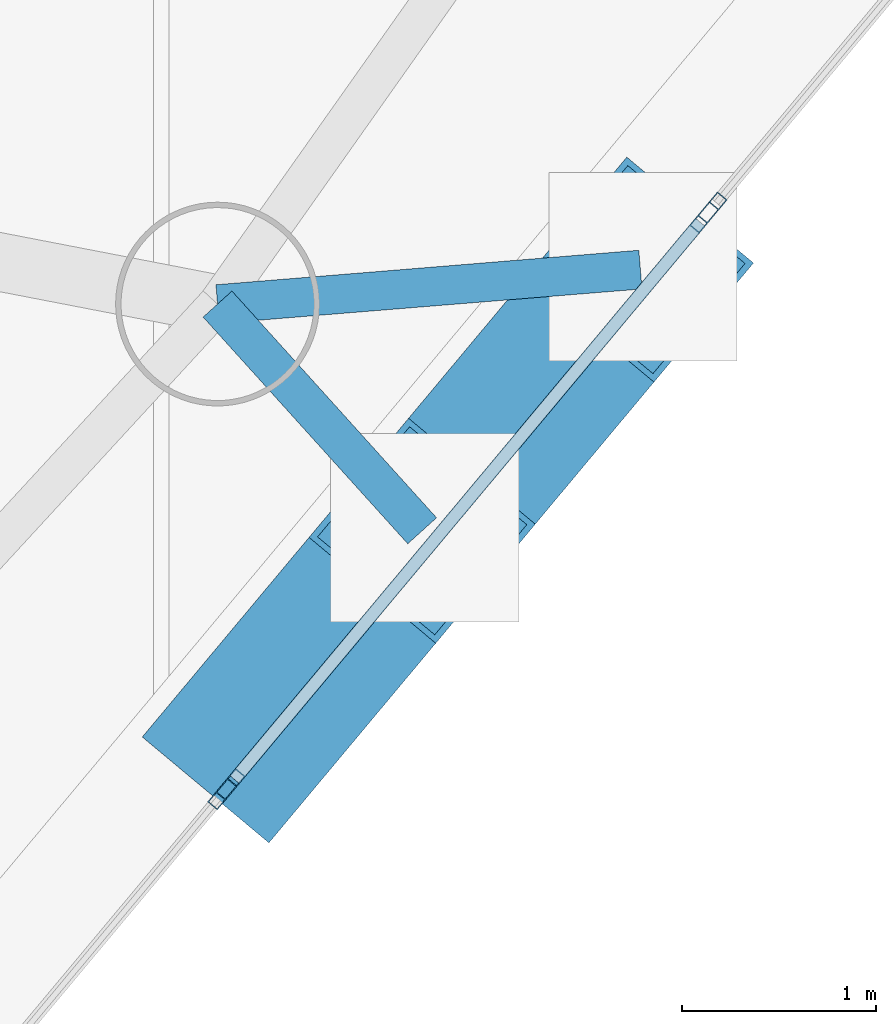
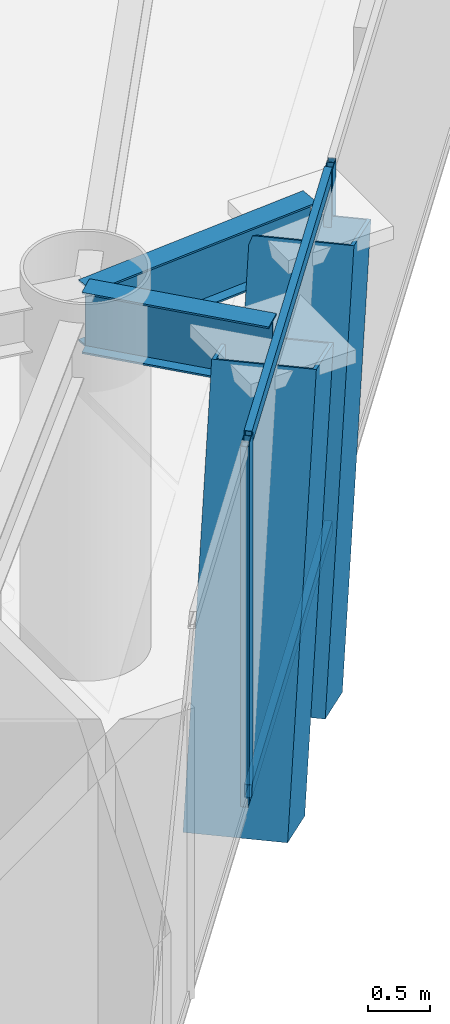
# One storey, part 6 of 20: 8 members, 2 beams, 3 elements without a shape of their own.
"""IFC4 building model written with IfcOpenShell, lengths in metres."""

from ifc_helpers import new_model, si_unit, direction, frame, origin, origin_2d, place, context, subcontext, project, spatial, hollow_rectangle, i_section, extrude, material, layer, layer_set, material_profile, profile_set, type_object, element, aggregate, save


model = new_model("IFC4")

# Units and contexts
model_context = context("Model", 3, precision=1e-05, world=origin(), true_north=direction((0.0, 1.0)))
body_context = subcontext(model_context, "Body", "Model", "MODEL_VIEW")
ifc_project = project(units=[si_unit("LENGTHUNIT", "METRE"), si_unit("AREAUNIT", "SQUARE_METRE"), si_unit("VOLUMEUNIT", "CUBIC_METRE"), si_unit("PLANEANGLEUNIT", "RADIAN"), si_unit("MASSUNIT", "GRAM", prefix="KILO")], contexts=[model_context])

# Site, building, storey
site_placement = place(None, origin())
site = spatial("IfcSite", under=ifc_project, at=site_placement, CompositionType="ELEMENT")
building_placement = place(site_placement, origin())
building = spatial("IfcBuilding", under=site, at=building_placement, Name="Qianvela Tower", CompositionType="ELEMENT")
storey_placement = place(building_placement, frame((0.0, 0.0, 257.5)))
storey = spatial("IfcBuildingStorey", under=building, at=storey_placement, Name="L66", CompositionType="ELEMENT", Elevation=257.5)

# Beams
ifc_material_1 = material(Name="Steel Q355B", Category="steel")
ifc_material_profile_1 = material_profile(ifc_material_1, i_section(OverallWidth=0.199951171875, OverallDepth=0.60009765625, WebThickness=0.010986328125, FlangeThickness=0.01708984375, at=origin_2d()), Name="HN600x200x11x17")
ifc_profile_set_1 = profile_set([ifc_material_profile_1], Name="Steel Q355B")
beam_type = type_object("IfcBeamType", Name="BM-HN600-GIRD", PredefinedType="BEAM", material=ifc_profile_set_1)
beam_1_placement = place(storey_placement, frame((45.43603515625, 20.597900390625, 3.218017578125), z_axis=(0.670095965942, -0.742274475129, 0.0), x_axis=(0.742274475129, 0.670095965942, 0.0)))
element("IfcBeam", 1, at=beam_1_placement, inside=storey, type_object=beam_type, Name="L66 Mega-Brace Column Tie Bracket F3-1", PredefinedType="BEAM", context=body_context, shape_type="SweptSolid", body=[
    extrude(i_section(OverallWidth=0.199951171875, OverallDepth=0.60009765625, WebThickness=0.010986328125, FlangeThickness=0.01708984375, at=origin_2d()), origin(), (0.0, 0.0, 1.0), 1.57275390625),
])
beam_2_placement = place(storey_placement, frame((45.43603515625, 20.597900390625, 3.218017578125), z_axis=(0.996695147825, 0.08123288929, 0.0), x_axis=(-0.08123288929, 0.996695147825, 0.0)))
element("IfcBeam", 2, at=beam_2_placement, inside=storey, type_object=beam_type, Name="L66 Mega-Brace Column Tie Bracket F3-2", PredefinedType="BEAM", context=body_context, shape_type="SweptSolid", body=[
    extrude(i_section(OverallWidth=0.199951171875, OverallDepth=0.60009765625, WebThickness=0.010986328125, FlangeThickness=0.01708984375, at=origin_2d()), origin(), (0.0, 0.0, 1.0), 2.18505859375),
])

# Curtain wall, members
ifc_material_2 = material(Name="Anodised Architectural Aluminium and Insulated Spandrel Panel", Category="aluminium")
ifc_layer_1 = layer(ifc_material_2, 0.179931640625)
ifc_layer_set_1 = layer_set([ifc_layer_1], Name="Anodised Architectural Aluminium and Insulated Spandrel Panel")
curtain_wall_type_1 = type_object("IfcCurtainWallType", Name="CW-BRACEBAY", PredefinedType="USERDEFINED", material=ifc_layer_set_1)
curtain_wall_1_placement = place(storey_placement, origin())
curtain_wall_1 = element("IfcCurtainWall", 3, at=curtain_wall_1_placement, inside=storey, type_object=curtain_wall_type_1, Name="L66 CW-BRACEBAY Curtain Wall 06B", ObjectType="CURTAIN_WALL_SYSTEM", PredefinedType="USERDEFINED")
ifc_material_3 = material(Name="Anodised Architectural Aluminium 6063-T6", Category="aluminium")
ifc_material_profile_2 = material_profile(ifc_material_3, hollow_rectangle(XDim=0.06494140625, YDim=0.159912109375, WallThickness=0.0048828125, at=origin_2d()), Name="ALU-MULL-65x160")
ifc_profile_set_2 = profile_set([ifc_material_profile_2], Name="Anodised Architectural Aluminium 6063-T6")
member_type_1 = type_object("IfcMemberType", Name="CW-BRACEBAY-MULL", PredefinedType="MULLION", material=ifc_profile_set_2)
member_1_placement = place(storey_placement, frame((45.5029296875, 18.124755859375, 0.0), z_axis=(0.0, 0.0, 1.0), x_axis=(-0.767316116167, 0.641269037043, 0.0)))
member_1 = element("IfcMember", 4, at=member_1_placement, type_object=member_type_1, Name="CW-9 mullion 1", PredefinedType="MULLION", context=body_context, shape_type="SweptSolid", body=[
    extrude(hollow_rectangle(XDim=0.06494140625, YDim=0.159912109375, WallThickness=0.0048828125, at=origin_2d()), origin(), (0.0, 0.0, 1.0), 3.52001953125),
])
member_2_placement = place(storey_placement, frame((47.94287109375, 21.04443359375, 0.0), z_axis=(0.0, 0.0, 1.0), x_axis=(-0.767316116167, 0.641269037043, 0.0)))
member_2 = element("IfcMember", 5, at=member_2_placement, type_object=member_type_1, Name="CW-9 mullion 2", PredefinedType="MULLION", context=body_context, shape_type="SweptSolid", body=[
    extrude(hollow_rectangle(XDim=0.06494140625, YDim=0.159912109375, WallThickness=0.0048828125, at=origin_2d()), origin(), (0.0, 0.0, 1.0), 3.52001953125),
])
ifc_material_4 = material(Name="Anodised Architectural Aluminium 6063-T6", Category="aluminium")
ifc_material_profile_3 = material_profile(ifc_material_4, hollow_rectangle(XDim=0.06494140625, YDim=0.1298828125, WallThickness=0.00439453125, at=origin_2d()), Name="ALU-TRAN-65x130")
ifc_profile_set_3 = profile_set([ifc_material_profile_3], Name="Anodised Architectural Aluminium 6063-T6")
member_type_2 = type_object("IfcMemberType", Name="CW-BRACEBAY-TRAN", PredefinedType="USERDEFINED", material=ifc_profile_set_3)
member_3_placement = place(storey_placement, frame((45.523681640625, 18.149658203125, 0.032470703125), z_axis=(0.641268836433, 0.767316283823, 0.0), x_axis=(-0.767316283823, 0.641268836433, 0.0)))
member_3 = element("IfcMember", 6, at=member_3_placement, type_object=member_type_2, Name="CW-9 transom 1.1", ObjectType="TRANSOM", PredefinedType="USERDEFINED", context=body_context, shape_type="SweptSolid", body=[
    extrude(hollow_rectangle(XDim=0.06494140625, YDim=0.1298828125, WallThickness=0.00439453125, at=origin_2d()), origin(), (0.0, 0.0, 1.0), 3.740234375),
])
member_4_placement = place(storey_placement, frame((45.523681640625, 18.149658203125, 3.487548828125), z_axis=(0.641268836433, 0.767316283823, 0.0), x_axis=(-0.767316283823, 0.641268836433, 0.0)))
member_4 = element("IfcMember", 7, at=member_4_placement, type_object=member_type_2, Name="CW-9 transom 1.2", ObjectType="TRANSOM", PredefinedType="USERDEFINED", context=body_context, shape_type="SweptSolid", body=[
    extrude(hollow_rectangle(XDim=0.06494140625, YDim=0.1298828125, WallThickness=0.00439453125, at=origin_2d()), origin(), (0.0, 0.0, 1.0), 3.740234375),
])
aggregate(curtain_wall_1, [member_1, member_2, member_3, member_4])

# Curtain wall, member
ifc_material_5 = material(Name="Anodised Architectural Aluminium and Low-E Glass", Category="aluminium")
ifc_layer_2 = layer(ifc_material_5, 0.159912109375)
ifc_layer_set_2 = layer_set([ifc_layer_2], Name="Anodised Architectural Aluminium and Low-E Glass")
curtain_wall_type_2 = type_object("IfcCurtainWallType", Name="CW-COLIV-Z56", PredefinedType="USERDEFINED", material=ifc_layer_set_2)
curtain_wall_2_placement = place(storey_placement, origin())
curtain_wall_2 = element("IfcCurtainWall", 8, at=curtain_wall_2_placement, inside=storey, type_object=curtain_wall_type_2, Name="L66 CW-COLIV-Z56 Curtain Wall 06A", ObjectType="CURTAIN_WALL_SYSTEM", PredefinedType="USERDEFINED")
ifc_material_6 = material(Name="Anodised Architectural Aluminium 6063-T6", Category="aluminium")
ifc_material_profile_4 = material_profile(ifc_material_6, hollow_rectangle(XDim=0.06494140625, YDim=0.159912109375, WallThickness=0.0048828125, at=origin_2d()), Name="ALU-MULL-65x160")
ifc_profile_set_4 = profile_set([ifc_material_profile_4], Name="Anodised Architectural Aluminium 6063-T6")
member_type_3 = type_object("IfcMemberType", Name="CW-COLIV-Z56-MULL", PredefinedType="MULLION", material=ifc_profile_set_4)
member_5_placement = place(storey_placement, frame((45.461181640625, 18.074951171875, 0.0), z_axis=(0.0, 0.0, 1.0), x_axis=(-0.767312583768, 0.641273263743, 0.0)))
member_5 = element("IfcMember", 9, at=member_5_placement, type_object=member_type_3, Name="CW-5 mullion 3", PredefinedType="MULLION", context=body_context, shape_type="SweptSolid", body=[
    extrude(hollow_rectangle(XDim=0.06494140625, YDim=0.159912109375, WallThickness=0.0048828125, at=origin_2d()), origin(), (0.0, 0.0, 1.0), 3.52001953125),
])
aggregate(curtain_wall_2, [member_5])

curtain_wall_3_placement = place(storey_placement, origin())
curtain_wall_3 = element("IfcCurtainWall", 10, at=curtain_wall_3_placement, inside=storey, type_object=curtain_wall_type_2, Name="L66 CW-COLIV-Z56 Curtain Wall 06C", ObjectType="CURTAIN_WALL_SYSTEM", PredefinedType="USERDEFINED")
member_6_placement = place(storey_placement, frame((47.984619140625, 21.09423828125, 0.0), z_axis=(0.0, 0.0, 1.0), x_axis=(-0.767312456847, 0.64127341561, 0.0)))
member_6 = element("IfcMember", 11, at=member_6_placement, type_object=member_type_3, Name="CW-5 mullion 1", PredefinedType="MULLION", context=body_context, shape_type="SweptSolid", body=[
    extrude(hollow_rectangle(XDim=0.06494140625, YDim=0.159912109375, WallThickness=0.0048828125, at=origin_2d()), origin(), (0.0, 0.0, 1.0), 3.52001953125),
])
aggregate(curtain_wall_3, [member_6])

# Members
ifc_material_7 = material(Name="Steel Q420GJC", Category="steel")
ifc_material_profile_5 = material_profile(ifc_material_7, hollow_rectangle(XDim=0.85009765625, YDim=0.85009765625, WallThickness=0.031982421875, at=origin_2d()), Name="MBOX-850x850x32")
ifc_profile_set_5 = profile_set([ifc_material_profile_5], Name="Steel Q420GJC")
member_type_4 = type_object("IfcMemberType", Name="MBR-MBRACE-850", PredefinedType="BRACE", material=ifc_profile_set_5)
for number, where, z_axis, x_axis, name in (
    (12, (45.630859375, 18.402587890625, -0.48193359375), (0.21833088163, 0.261202901865, 0.940268403268), (-0.767264367489, 0.641330952303, 0.0), "L66 Tier 11 Exterior Mega-Brace F3A"),
    (13, (46.754638671875, 19.747314453125, -0.48193359375), (0.218327343041, 0.261260710869, 0.940253163907), (-0.767339311382, 0.641241281585, 0.0), "L66 Tier 11 Exterior Mega-Brace F3B"),
):
    element("IfcMember", number, at=place(storey_placement, frame(where, z_axis=z_axis, x_axis=x_axis)), inside=storey, type_object=member_type_4, Name=name, PredefinedType="BRACE", context=body_context, shape_type="SweptSolid", body=[
        extrude(hollow_rectangle(XDim=0.85009765625, YDim=0.85009765625, WallThickness=0.031982421875, at=origin_2d()), origin(), (0.0, 0.0, 1.0), 3.93505859375),
    ])

save(model, "model.ifc")
